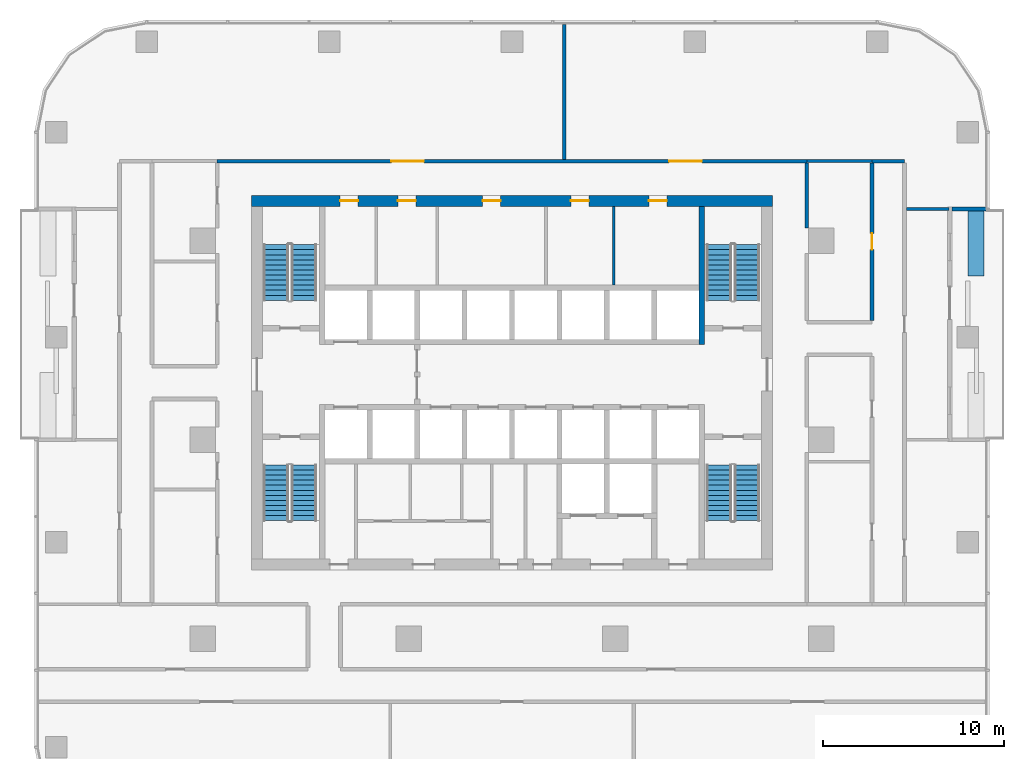
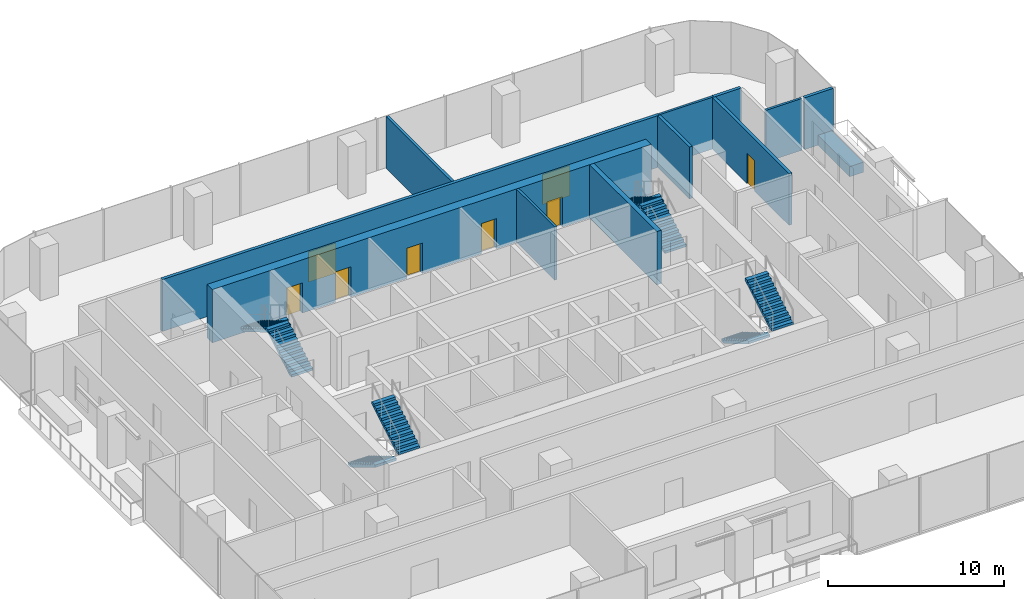
# One storey, part 10 of 14: 12 walls, 8 doors, 8 stair flights, 8 openings, 4 elements without a shape of their own.
"""IFC4 building model written with IfcOpenShell, lengths in metres."""

from ifc_helpers import new_model, si_unit, direction, frame, frame_2d, origin, place, context, subcontext, project, spatial, polyline, rectangle, outline, extrude, material, layer, layer_set, type_object, element, fill, aggregate, save


model = new_model("IFC4")

# Units and contexts
model_context = context("Model", 3, precision=1e-05, world=origin(), true_north=direction((0.0, 1.0)))
body_context = subcontext(model_context, "Body", "Model", "MODEL_VIEW")
ifc_project = project(units=[si_unit("LENGTHUNIT", "METRE"), si_unit("AREAUNIT", "SQUARE_METRE"), si_unit("VOLUMEUNIT", "CUBIC_METRE"), si_unit("PLANEANGLEUNIT", "RADIAN"), si_unit("MASSUNIT", "GRAM", prefix="KILO")], contexts=[model_context])

# Site, building, storey
site_placement = place(None, origin())
site = spatial("IfcSite", under=ifc_project, at=site_placement, CompositionType="ELEMENT")
building_placement = place(site_placement, origin())
building = spatial("IfcBuilding", under=site, at=building_placement, Name="Mopane Tessera Tower", CompositionType="ELEMENT")
storey_placement = place(building_placement, frame((0.0, 0.0, 165.0)))
storey = spatial("IfcBuildingStorey", under=building, at=storey_placement, Name="L33", CompositionType="ELEMENT", Elevation=165.0)

# Wall
ifc_material_1 = material(Name="Fire-rated gypsum board partition")
ifc_layer_1 = layer(ifc_material_1, 0.14990234375)
ifc_layer_set_1 = layer_set([ifc_layer_1], Name="Fire-rated gypsum board partition")
wall_type_1 = type_object("IfcWallType", Name="Core room partition 150 mm", PredefinedType="PARTITIONING", material=ifc_layer_set_1)
wall_1_placement = place(storey_placement, frame((5.625, 8.550048828125, 0.0), z_axis=(0.0, 0.0, 1.0), x_axis=(0.0, 1.0, 0.0)))
element("IfcWall", 1, at=wall_1_placement, inside=storey, type_object=wall_type_1, Name="L33 Room partition", PredefinedType="PARTITIONING", context=body_context, shape_type="SweptSolid", body=[
    extrude(rectangle(XDim=4.349853515625, YDim=0.14990234375, at=frame_2d((2.1748046875, 0.0))), origin(), (0.0, 0.0, 1.0), 3.699951171875),
])

# Wall, openings, doors
ifc_material_2 = material(Name="Concrete C70/85", Category="concrete")
ifc_layer_2 = layer(ifc_material_2, 0.60009765625)
ifc_layer_set_2 = layer_set([ifc_layer_2], Name="Concrete C70/85")
wall_type_2 = type_object("IfcWallType", Name="Core shear wall 600 mm", PredefinedType="SHEAR", material=ifc_layer_set_2)
wall_2_placement = place(storey_placement, frame((-14.39990234375, 13.199951171875, 0.0), z_axis=(0.0, 0.0, 1.0), x_axis=(1.0, 0.0, 0.0)))
wall_2 = element("IfcWall", 2, at=wall_2_placement, inside=storey, type_object=wall_type_2, Name="L33 Core wall north", PredefinedType="SHEAR", context=body_context, shape_type="SweptSolid", body=[
    extrude(rectangle(XDim=28.7998046875, YDim=0.60009765625, at=frame_2d((14.39990234375, 0.0))), origin(), (0.0, 0.0, 1.0), 3.699951171875),
])
opening_1_placement = place(wall_2_placement, frame((4.89990234375, 0.0, 0.0)))
opening_1 = element("IfcOpeningElement", 3, at=opening_1_placement, cuts=wall_2, Name="Opening RD1", PredefinedType="OPENING", context=body_context, shape_type="SweptSolid", body=[
    extrude(rectangle(XDim=1.0, YDim=2.10009765625, at=frame_2d((0.5, 1.050048828125))), frame((0.0, 0.31201171875, 0.0), z_axis=(0.0, -1.0, 0.0), x_axis=(1.0, 0.0, 0.0)), (0.0, 0.0, 1.0), 0.6240234375),
])
opening_2_placement = place(wall_2_placement, frame((8.08740234375, 0.0, 0.0)))
opening_2 = element("IfcOpeningElement", 4, at=opening_2_placement, cuts=wall_2, Name="Opening RD1", PredefinedType="OPENING", context=body_context, shape_type="SweptSolid", body=[
    extrude(rectangle(XDim=1.0, YDim=2.10009765625, at=frame_2d((0.5, 1.050048828125))), frame((0.0, 0.31201171875, 0.0), z_axis=(0.0, -1.0, 0.0), x_axis=(1.0, 0.0, 0.0)), (0.0, 0.0, 1.0), 0.6240234375),
])
opening_3_placement = place(wall_2_placement, frame((12.77490234375, 0.0, 0.0)))
opening_3 = element("IfcOpeningElement", 5, at=opening_3_placement, cuts=wall_2, Name="Opening RD1", PredefinedType="OPENING", context=body_context, shape_type="SweptSolid", body=[
    extrude(rectangle(XDim=1.0, YDim=2.10009765625, at=frame_2d((0.5, 1.050048828125))), frame((0.0, 0.31201171875, 0.0), z_axis=(0.0, -1.0, 0.0), x_axis=(1.0, 0.0, 0.0)), (0.0, 0.0, 1.0), 0.6240234375),
])
opening_4_placement = place(wall_2_placement, frame((17.64990234375, 0.0, 0.0)))
opening_4 = element("IfcOpeningElement", 6, at=opening_4_placement, cuts=wall_2, Name="Opening RD1", PredefinedType="OPENING", context=body_context, shape_type="SweptSolid", body=[
    extrude(rectangle(XDim=1.0, YDim=2.10009765625, at=frame_2d((0.5, 1.050048828125))), frame((0.0, 0.31201171875, 0.0), z_axis=(0.0, -1.0, 0.0), x_axis=(1.0, 0.0, 0.0)), (0.0, 0.0, 1.0), 0.6240234375),
])
opening_5_placement = place(wall_2_placement, frame((21.96240234375, 0.0, 0.0)))
opening_5 = element("IfcOpeningElement", 7, at=opening_5_placement, cuts=wall_2, Name="Opening RD1", PredefinedType="OPENING", context=body_context, shape_type="SweptSolid", body=[
    extrude(rectangle(XDim=1.0, YDim=2.10009765625, at=frame_2d((0.5, 1.050048828125))), frame((0.0, 0.31201171875, 0.0), z_axis=(0.0, -1.0, 0.0), x_axis=(1.0, 0.0, 0.0)), (0.0, 0.0, 1.0), 0.6240234375),
])
ifc_material_3 = material(Name="Timber door", Category="wood")
door_type_1 = type_object("IfcDoorType", Name="Core room door 1000 x 2100", OperationType="SINGLE_SWING_LEFT", PredefinedType="DOOR", material=ifc_material_3)
door_1_placement = place(opening_1_placement, origin())
door_1 = element("IfcDoor", 8, at=door_1_placement, inside=storey, type_object=door_type_1, Name="L33 Room door", OperationType="SINGLE_SWING_LEFT", OverallHeight=2.10009765625, OverallWidth=1.0, PredefinedType="DOOR", context=body_context, shape_type="SweptSolid", body=[
    extrude(rectangle(XDim=1.0, YDim=2.10009765625, at=frame_2d((0.5, 1.050048828125))), frame((0.0, 0.02490234375, 0.0), z_axis=(0.0, -1.0, 0.0), x_axis=(1.0, 0.0, 0.0)), (0.0, 0.0, 1.0), 0.050048828125),
])
fill(opening_1, door_1)
door_2_placement = place(opening_2_placement, origin())
door_2 = element("IfcDoor", 9, at=door_2_placement, inside=storey, type_object=door_type_1, Name="L33 Room door", OperationType="SINGLE_SWING_LEFT", OverallHeight=2.10009765625, OverallWidth=1.0, PredefinedType="DOOR", context=body_context, shape_type="SweptSolid", body=[
    extrude(rectangle(XDim=1.0, YDim=2.10009765625, at=frame_2d((0.5, 1.050048828125))), frame((0.0, 0.02490234375, 0.0), z_axis=(0.0, -1.0, 0.0), x_axis=(1.0, 0.0, 0.0)), (0.0, 0.0, 1.0), 0.050048828125),
])
fill(opening_2, door_2)
door_3_placement = place(opening_3_placement, origin())
door_3 = element("IfcDoor", 10, at=door_3_placement, inside=storey, type_object=door_type_1, Name="L33 Room door", OperationType="SINGLE_SWING_LEFT", OverallHeight=2.10009765625, OverallWidth=1.0, PredefinedType="DOOR", context=body_context, shape_type="SweptSolid", body=[
    extrude(rectangle(XDim=1.0, YDim=2.10009765625, at=frame_2d((0.5, 1.050048828125))), frame((0.0, 0.02490234375, 0.0), z_axis=(0.0, -1.0, 0.0), x_axis=(1.0, 0.0, 0.0)), (0.0, 0.0, 1.0), 0.050048828125),
])
fill(opening_3, door_3)
door_4_placement = place(opening_4_placement, origin())
door_4 = element("IfcDoor", 11, at=door_4_placement, inside=storey, type_object=door_type_1, Name="L33 Room door", OperationType="SINGLE_SWING_LEFT", OverallHeight=2.10009765625, OverallWidth=1.0, PredefinedType="DOOR", context=body_context, shape_type="SweptSolid", body=[
    extrude(rectangle(XDim=1.0, YDim=2.10009765625, at=frame_2d((0.5, 1.050048828125))), frame((0.0, 0.02490234375, 0.0), z_axis=(0.0, -1.0, 0.0), x_axis=(1.0, 0.0, 0.0)), (0.0, 0.0, 1.0), 0.050048828125),
])
fill(opening_4, door_4)
door_5_placement = place(opening_5_placement, origin())
door_5 = element("IfcDoor", 12, at=door_5_placement, inside=storey, type_object=door_type_1, Name="L33 Room door", OperationType="SINGLE_SWING_LEFT", OverallHeight=2.10009765625, OverallWidth=1.0, PredefinedType="DOOR", context=body_context, shape_type="SweptSolid", body=[
    extrude(rectangle(XDim=1.0, YDim=2.10009765625, at=frame_2d((0.5, 1.050048828125))), frame((0.0, 0.02490234375, 0.0), z_axis=(0.0, -1.0, 0.0), x_axis=(1.0, 0.0, 0.0)), (0.0, 0.0, 1.0), 0.050048828125),
])
fill(opening_5, door_5)

# Walls
ifc_material_4 = material(Name="Concrete C60/75", Category="concrete")
ifc_layer_3 = layer(ifc_material_4, 0.300048828125)
ifc_layer_set_3 = layer_set([ifc_layer_3], Name="Concrete C60/75")
wall_type_3 = type_object("IfcWallType", Name="Core spine wall 300 mm", PredefinedType="SHEAR", material=ifc_layer_set_3)
wall_3_placement = place(storey_placement, frame((10.5, 5.25, 0.0), z_axis=(0.0, 0.0, 1.0), x_axis=(0.0, 1.0, 0.0)))
element("IfcWall", 13, at=wall_3_placement, inside=storey, type_object=wall_type_3, Name="L33 Core spine wall", PredefinedType="SHEAR", context=body_context, shape_type="SweptSolid", body=[
    extrude(rectangle(XDim=7.64990234375, YDim=0.300048828125, at=frame_2d((3.824951171875, 0.0))), origin(), (0.0, 0.0, 1.0), 3.699951171875),
])
ifc_material_5 = material(Name="Gypsum board on staggered steel studs, double layer each face, acoustic mineral wool infill", Category="steel")
ifc_layer_4 = layer(ifc_material_5, 0.175048828125)
ifc_layer_set_4 = layer_set([ifc_layer_4], Name="Gypsum board on staggered steel studs, double layer each face, acoustic mineral wool infill")
wall_type_4 = type_object("IfcWallType", Name="Gypsum board acoustic partition 175, rated EI 60", PredefinedType="PARTITIONING", material=ifc_layer_set_4)
wall_4_placement = place(storey_placement, frame((2.885009765625, 15.5, 0.0), z_axis=(0.0, 0.0, 1.0), x_axis=(0.0, 1.0, 0.0)))
element("IfcWall", 14, at=wall_4_placement, inside=storey, type_object=wall_type_4, Name="Partition L33:037", PredefinedType="PARTITIONING", context=body_context, shape_type="SweptSolid", body=[
    extrude(rectangle(XDim=7.449951171875, YDim=0.175048828125, at=frame_2d((3.72509765625, 0.0))), origin(), (0.0, 0.0, 1.0), 3.60009765625),
])

# Wall, openings, doors
ifc_material_6 = material(Name="Gypsum board on steel studs, two layers each face, mineral wool infill", Category="steel")
ifc_layer_5 = layer(ifc_material_6, 0.199951171875)
ifc_layer_set_5 = layer_set([ifc_layer_5], Name="Gypsum board on steel studs, two layers each face, mineral wool infill")
wall_type_5 = type_object("IfcWallType", Name="Gypsum board corridor wall 200, rated EI 60", PredefinedType="PARTITIONING", material=ifc_layer_set_5)
wall_5_placement = place(storey_placement, frame((-16.300048828125, 15.39990234375, 0.0), z_axis=(0.0, 0.0, 1.0), x_axis=(1.0, 0.0, 0.0)))
wall_5 = element("IfcWall", 15, at=wall_5_placement, inside=storey, type_object=wall_type_5, Name="Partition L33:025", PredefinedType="PARTITIONING", context=body_context, shape_type="SweptSolid", body=[
    extrude(rectangle(XDim=32.60009765625, YDim=0.199951171875, at=frame_2d((16.300048828125, 0.0))), origin(), (0.0, 0.0, 1.0), 3.60009765625),
])
opening_6_placement = place(wall_5_placement, frame((24.992431640625, 0.0, 0.0)))
opening_6 = element("IfcOpeningElement", 16, at=opening_6_placement, cuts=wall_5, Name="Opening L33-06", PredefinedType="OPENING", context=body_context, shape_type="SweptSolid", body=[
    extrude(rectangle(XDim=1.800048828125, YDim=2.10009765625, at=frame_2d((0.89990234375, 1.050048828125))), frame((0.0, 0.112060546875, 0.0), z_axis=(0.0, -1.0, 0.0), x_axis=(1.0, 0.0, 0.0)), (0.0, 0.0, 1.0), 0.223876953125),
])
opening_7_placement = place(wall_5_placement, frame((9.635009765625, 0.0, 0.0)))
opening_7 = element("IfcOpeningElement", 17, at=opening_7_placement, cuts=wall_5, Name="Opening L33-17", PredefinedType="OPENING", context=body_context, shape_type="SweptSolid", body=[
    extrude(rectangle(XDim=1.800048828125, YDim=2.10009765625, at=frame_2d((0.89990234375, 1.050048828125))), frame((0.0, 0.112060546875, 0.0), z_axis=(0.0, -1.0, 0.0), x_axis=(1.0, 0.0, 0.0)), (0.0, 0.0, 1.0), 0.223876953125),
])
ifc_material_7 = material(Name="Timber veneered steel-framed fire door", Category="steel")
door_type_2 = type_object("IfcDoorType", Name="Fire door pair FD60 1800 x 2100", OperationType="DOUBLE_DOOR_SINGLE_SWING", PredefinedType="DOOR", material=ifc_material_7)
door_6_placement = place(opening_6_placement, origin())
door_6 = element("IfcDoor", 18, at=door_6_placement, inside=storey, type_object=door_type_2, Name="Door L33-06", ObjectType="D20A", OperationType="DOUBLE_DOOR_SINGLE_SWING", OverallHeight=2.10009765625, OverallWidth=1.800048828125, PredefinedType="DOOR", context=body_context, shape_type="SweptSolid", body=[
    extrude(rectangle(XDim=1.800048828125, YDim=2.10009765625, at=frame_2d((0.89990234375, 1.050048828125))), frame((0.0, 0.02490234375, 0.0), z_axis=(0.0, -1.0, 0.0), x_axis=(1.0, 0.0, 0.0)), (0.0, 0.0, 1.0), 0.050048828125),
])
fill(opening_6, door_6)
door_7_placement = place(opening_7_placement, origin())
door_7 = element("IfcDoor", 19, at=door_7_placement, inside=storey, type_object=door_type_2, Name="Door L33-17", ObjectType="D20A", OperationType="DOUBLE_DOOR_SINGLE_SWING", OverallHeight=2.10009765625, OverallWidth=1.800048828125, PredefinedType="DOOR", context=body_context, shape_type="SweptSolid", body=[
    extrude(rectangle(XDim=1.800048828125, YDim=2.10009765625, at=frame_2d((0.89990234375, 1.050048828125))), frame((0.0, 0.02490234375, 0.0), z_axis=(0.0, -1.0, 0.0), x_axis=(1.0, 0.0, 0.0)), (0.0, 0.0, 1.0), 0.050048828125),
])
fill(opening_7, door_7)

# Walls
wall_6_placement = place(storey_placement, frame((19.89990234375, 15.39990234375, 0.0), z_axis=(0.0, 0.0, 1.0), x_axis=(1.0, 0.0, 0.0)))
element("IfcWall", 20, at=wall_6_placement, inside=storey, type_object=wall_type_5, Name="Partition L33:026", PredefinedType="PARTITIONING", context=body_context, shape_type="SweptSolid", body=[
    extrude(rectangle(XDim=1.800048828125, YDim=0.199951171875, at=frame_2d((0.89990234375, 0.0))), origin(), (0.0, 0.0, 1.0), 3.60009765625),
])
wall_7_placement = place(storey_placement, frame((16.300048828125, 11.699951171875, 0.0), z_axis=(0.0, 0.0, 1.0), x_axis=(0.0, 1.0, 0.0)))
element("IfcWall", 21, at=wall_7_placement, inside=storey, type_object=wall_type_5, Name="Partition L33:042", PredefinedType="PARTITIONING", context=body_context, shape_type="SweptSolid", body=[
    extrude(rectangle(XDim=3.60009765625, YDim=0.199951171875, at=frame_2d((1.800048828125, 0.0))), origin(), (0.0, 0.0, 1.0), 3.60009765625),
])

# Wall, opening, door
wall_8_placement = place(storey_placement, frame((19.89990234375, 6.60009765625, 0.0), z_axis=(0.0, 0.0, 1.0), x_axis=(0.0, 1.0, 0.0)))
wall_8 = element("IfcWall", 22, at=wall_8_placement, inside=storey, type_object=wall_type_5, Name="Partition L33:044", PredefinedType="PARTITIONING", context=body_context, shape_type="SweptSolid", body=[
    extrude(rectangle(XDim=8.699951171875, YDim=0.199951171875, at=frame_2d((4.35009765625, 0.0))), origin(), (0.0, 0.0, 1.0), 3.60009765625),
])
opening_8_placement = place(wall_8_placement, frame((3.89990234375, 0.0, 0.0)))
opening_8 = element("IfcOpeningElement", 23, at=opening_8_placement, cuts=wall_8, Name="Opening L33-12", PredefinedType="OPENING", context=body_context, shape_type="SweptSolid", body=[
    extrude(rectangle(XDim=0.89990234375, YDim=2.10009765625, at=frame_2d((0.449951171875, 1.050048828125))), frame((0.0, 0.112060546875, 0.0), z_axis=(0.0, -1.0, 0.0), x_axis=(1.0, 0.0, 0.0)), (0.0, 0.0, 1.0), 0.223876953125),
])
ifc_material_8 = material(Name="Timber veneered steel-framed fire door", Category="steel")
door_type_3 = type_object("IfcDoorType", Name="Fire door FD60 900 x 2100", OperationType="SINGLE_SWING_LEFT", PredefinedType="DOOR", material=ifc_material_8)
door_8_placement = place(opening_8_placement, origin())
door_8 = element("IfcDoor", 24, at=door_8_placement, inside=storey, type_object=door_type_3, Name="Door L33-12", ObjectType="D10A", OperationType="SINGLE_SWING_LEFT", OverallHeight=2.10009765625, OverallWidth=0.89990234375, PredefinedType="DOOR", context=body_context, shape_type="SweptSolid", body=[
    extrude(rectangle(XDim=0.89990234375, YDim=2.10009765625, at=frame_2d((0.449951171875, 1.050048828125))), frame((0.0, 0.02490234375, 0.0), z_axis=(0.0, -1.0, 0.0), x_axis=(1.0, 0.0, 0.0)), (0.0, 0.0, 1.0), 0.050048828125),
])
fill(opening_8, door_8)

# Walls
ifc_material_9 = material(Name="Gypsum board on steel studs, mineral wool infill", Category="steel")
ifc_layer_6 = layer(ifc_material_9, 0.14990234375)
ifc_layer_set_6 = layer_set([ifc_layer_6], Name="Gypsum board on steel studs, mineral wool infill")
wall_type_6 = type_object("IfcWallType", Name="Gypsum board partition 150, rated EI 60", PredefinedType="PARTITIONING", material=ifc_layer_set_6)
wall_9_placement = place(storey_placement, frame((21.800048828125, 12.75, 0.0), z_axis=(0.0, 0.0, 1.0), x_axis=(1.0, 0.0, 0.0)))
element("IfcWall", 25, at=wall_9_placement, inside=storey, type_object=wall_type_6, Name="Partition L33:020", PredefinedType="PARTITIONING", context=body_context, shape_type="SweptSolid", body=[
    extrude(rectangle(XDim=2.349853515625, YDim=0.14990234375, at=frame_2d((1.1748046875, 0.0))), origin(), (0.0, 0.0, 1.0), 3.60009765625),
])
wall_10_placement = place(storey_placement, frame((16.300048828125, 15.39990234375, 0.0), z_axis=(0.0, 0.0, 1.0), x_axis=(1.0, 0.0, 0.0)))
element("IfcWall", 26, at=wall_10_placement, inside=storey, type_object=wall_type_6, Name="Partition L33:022", PredefinedType="PARTITIONING", context=body_context, shape_type="SweptSolid", body=[
    extrude(rectangle(XDim=3.599853515625, YDim=0.14990234375, at=frame_2d((1.7998046875, 0.0))), origin(), (0.0, 0.0, 1.0), 3.60009765625),
])
ifc_material_10 = material(Name="Reinforced concrete C32/40 with waterproofing", Category="concrete")
ifc_layer_7 = layer(ifc_material_10, 0.89990234375)
ifc_layer_set_7 = layer_set([ifc_layer_7], Name="Reinforced concrete C32/40 with waterproofing")
wall_type_7 = type_object("IfcWallType", Name="Planter trough 3600 x 900", PredefinedType="STANDARD", material=ifc_layer_set_7)
wall_11_placement = place(storey_placement, frame((25.64990234375, 9.050048828125, 0.0), z_axis=(0.0, 0.0, 1.0), x_axis=(0.0, 1.0, 0.0)))
element("IfcWall", 27, at=wall_11_placement, inside=storey, type_object=wall_type_7, Name="e:nw:L33:N3:pl1", PredefinedType="STANDARD", context=body_context, shape_type="SweptSolid", body=[
    extrude(rectangle(XDim=3.599853515625, YDim=0.89990234375, at=frame_2d((1.7998046875, 0.0))), origin(), (0.0, 0.0, 1.0), 0.699951171875),
])
ifc_material_11 = material(Name="Blockwork with glazed tile facing", Category="masonry")
ifc_layer_8 = layer(ifc_material_11, 0.199951171875)
ifc_layer_set_8 = layer_set([ifc_layer_8], Name="Blockwork with glazed tile facing")
wall_type_8 = type_object("IfcWallType", Name="Terrace cheek wall 200", PredefinedType="STANDARD", material=ifc_layer_set_8)
wall_12_placement = place(storey_placement, frame((26.199951171875, 12.75, 0.0), z_axis=(0.0, 0.0, 1.0), x_axis=(-1.0, 0.0, 0.0)))
element("IfcWall", 28, at=wall_12_placement, inside=storey, type_object=wall_type_8, Name="e:nw:L33:N3:cheekb", PredefinedType="STANDARD", context=body_context, shape_type="SweptSolid", body=[
    extrude(rectangle(XDim=1.875, YDim=0.199951171875, at=frame_2d((0.9375, 0.0))), origin(), (0.0, 0.0, 1.0), 3.60009765625),
])

# Stair, stair flights
ifc_material_12 = material(Name="Concrete C50/60", Category="concrete")
stair_type = type_object("IfcStairType", Name="Escape stair 1400 mm, riser 167 mm", PredefinedType="HALF_TURN_STAIR", material=ifc_material_12)
stair_1_placement = place(storey_placement, origin())
stair_1 = element("IfcStair", 29, at=stair_1_placement, inside=storey, type_object=stair_type, Name="L33 Escape stair south-west", PredefinedType="HALF_TURN_STAIR")
ifc_material_13 = material(Name="Concrete C50/60", Category="concrete")
stair_flight_type = type_object("IfcStairFlightType", Name="Escape stair flight 1400 mm", PredefinedType="STRAIGHT", material=ifc_material_13)
stair_flight_1_placement = place(storey_placement, frame((-13.050048828125, -1.39990234375, 0.0), z_axis=(0.0, 0.0, 1.0), x_axis=(0.0, -1.0, 0.0)))
stair_flight_1 = element("IfcStairFlight", 30, at=stair_flight_1_placement, type_object=stair_flight_type, Name="ST1 flight 1", NumberOfRisers=12, NumberOfTreads=11, PredefinedType="STRAIGHT", RiserHeight=0.166666667, TreadLength=0.28, context=body_context, shape_type="SweptSolid", body=[
    extrude(outline(polyline([(0.0, 0.0), (0.0, 0.166748046875), (0.280029296875, 0.166748046875), (0.280029296875, 0.333251953125), (0.56005859375, 0.333251953125), (0.56005859375, 0.5), (0.840087890625, 0.5), (0.840087890625, 0.666748046875), (1.1201171875, 0.666748046875), (1.1201171875, 0.833251953125), (1.39990234375, 0.833251953125), (1.39990234375, 1.0), (1.679931640625, 1.0), (1.679931640625, 1.166748046875), (1.9599609375, 1.166748046875), (1.9599609375, 1.333251953125), (2.239990234375, 1.333251953125), (2.239990234375, 1.5), (2.52001953125, 1.5), (2.52001953125, 1.666748046875), (2.800048828125, 1.666748046875), (2.800048828125, 1.833251953125), (3.080078125, 1.833251953125), (3.080078125, 2.0), (3.080078125, 1.658935546875), (0.29296875, 0.0), (0.0, 0.0)])), frame((0.0, 0.699951171875, 0.0), z_axis=(0.0, -1.0, 0.0), x_axis=(1.0, 0.0, 0.0)), (0.0, 0.0, 1.0), 1.39990234375),
])
stair_flight_2_placement = place(storey_placement, frame((-11.5, -4.47998046875, 2.0), z_axis=(0.0, 0.0, 1.0), x_axis=(0.0, 1.0, 0.0)))
stair_flight_2 = element("IfcStairFlight", 31, at=stair_flight_2_placement, type_object=stair_flight_type, Name="ST1 flight 2", NumberOfRisers=12, NumberOfTreads=11, PredefinedType="STRAIGHT", RiserHeight=0.166666667, TreadLength=0.28, context=body_context, shape_type="SweptSolid", body=[
    extrude(outline(polyline([(0.0, 0.0), (0.0, 0.166748046875), (0.280029296875, 0.166748046875), (0.280029296875, 0.333251953125), (0.56005859375, 0.333251953125), (0.56005859375, 0.5), (0.840087890625, 0.5), (0.840087890625, 0.666748046875), (1.1201171875, 0.666748046875), (1.1201171875, 0.833251953125), (1.39990234375, 0.833251953125), (1.39990234375, 1.0), (1.679931640625, 1.0), (1.679931640625, 1.166748046875), (1.9599609375, 1.166748046875), (1.9599609375, 1.333251953125), (2.239990234375, 1.333251953125), (2.239990234375, 1.5), (2.52001953125, 1.5), (2.52001953125, 1.666748046875), (2.800048828125, 1.666748046875), (2.800048828125, 1.833251953125), (3.080078125, 1.833251953125), (3.080078125, 2.0), (3.080078125, 1.658935546875), (0.29296875, 0.0), (0.0, 0.0)])), frame((0.0, 0.699951171875, 0.0), z_axis=(0.0, -1.0, 0.0), x_axis=(1.0, 0.0, 0.0)), (0.0, 0.0, 1.0), 1.39990234375),
])
aggregate(stair_1, [stair_flight_1, stair_flight_2])

stair_2_placement = place(storey_placement, origin())
stair_2 = element("IfcStair", 32, at=stair_2_placement, inside=storey, type_object=stair_type, Name="L33 Escape stair north-west", PredefinedType="HALF_TURN_STAIR")
stair_flight_3_placement = place(storey_placement, frame((-11.5, 7.699951171875, 0.0), z_axis=(0.0, 0.0, 1.0), x_axis=(0.0, 1.0, 0.0)))
stair_flight_3 = element("IfcStairFlight", 33, at=stair_flight_3_placement, type_object=stair_flight_type, Name="ST2 flight 1", NumberOfRisers=12, NumberOfTreads=11, PredefinedType="STRAIGHT", RiserHeight=0.166666667, TreadLength=0.28, context=body_context, shape_type="SweptSolid", body=[
    extrude(outline(polyline([(0.0, 0.0), (0.0, 0.166748046875), (0.280029296875, 0.166748046875), (0.280029296875, 0.333251953125), (0.56005859375, 0.333251953125), (0.56005859375, 0.5), (0.840087890625, 0.5), (0.840087890625, 0.666748046875), (1.1201171875, 0.666748046875), (1.1201171875, 0.833251953125), (1.39990234375, 0.833251953125), (1.39990234375, 1.0), (1.679931640625, 1.0), (1.679931640625, 1.166748046875), (1.9599609375, 1.166748046875), (1.9599609375, 1.333251953125), (2.239990234375, 1.333251953125), (2.239990234375, 1.5), (2.52001953125, 1.5), (2.52001953125, 1.666748046875), (2.800048828125, 1.666748046875), (2.800048828125, 1.833251953125), (3.080078125, 1.833251953125), (3.080078125, 2.0), (3.080078125, 1.658935546875), (0.29296875, 0.0), (0.0, 0.0)])), frame((0.0, 0.699951171875, 0.0), z_axis=(0.0, -1.0, 0.0), x_axis=(1.0, 0.0, 0.0)), (0.0, 0.0, 1.0), 1.39990234375),
])
stair_flight_4_placement = place(storey_placement, frame((-13.050048828125, 10.780029296875, 2.0), z_axis=(0.0, 0.0, 1.0), x_axis=(0.0, -1.0, 0.0)))
stair_flight_4 = element("IfcStairFlight", 34, at=stair_flight_4_placement, type_object=stair_flight_type, Name="ST2 flight 2", NumberOfRisers=12, NumberOfTreads=11, PredefinedType="STRAIGHT", RiserHeight=0.166666667, TreadLength=0.28, context=body_context, shape_type="SweptSolid", body=[
    extrude(outline(polyline([(0.0, 0.0), (0.0, 0.166748046875), (0.280029296875, 0.166748046875), (0.280029296875, 0.333251953125), (0.56005859375, 0.333251953125), (0.56005859375, 0.5), (0.840087890625, 0.5), (0.840087890625, 0.666748046875), (1.1201171875, 0.666748046875), (1.1201171875, 0.833251953125), (1.39990234375, 0.833251953125), (1.39990234375, 1.0), (1.679931640625, 1.0), (1.679931640625, 1.166748046875), (1.9599609375, 1.166748046875), (1.9599609375, 1.333251953125), (2.239990234375, 1.333251953125), (2.239990234375, 1.5), (2.52001953125, 1.5), (2.52001953125, 1.666748046875), (2.800048828125, 1.666748046875), (2.800048828125, 1.833251953125), (3.080078125, 1.833251953125), (3.080078125, 2.0), (3.080078125, 1.658935546875), (0.29296875, 0.0), (0.0, 0.0)])), frame((0.0, 0.699951171875, 0.0), z_axis=(0.0, -1.0, 0.0), x_axis=(1.0, 0.0, 0.0)), (0.0, 0.0, 1.0), 1.39990234375),
])
aggregate(stair_2, [stair_flight_3, stair_flight_4])

stair_3_placement = place(storey_placement, origin())
stair_3 = element("IfcStair", 35, at=stair_3_placement, inside=storey, type_object=stair_type, Name="L33 Escape stair south-east", PredefinedType="HALF_TURN_STAIR")
stair_flight_5_placement = place(storey_placement, frame((11.449951171875, -1.39990234375, 0.0), z_axis=(0.0, 0.0, 1.0), x_axis=(0.0, -1.0, 0.0)))
stair_flight_5 = element("IfcStairFlight", 36, at=stair_flight_5_placement, type_object=stair_flight_type, Name="ST3 flight 1", NumberOfRisers=12, NumberOfTreads=11, PredefinedType="STRAIGHT", RiserHeight=0.166666667, TreadLength=0.28, context=body_context, shape_type="SweptSolid", body=[
    extrude(outline(polyline([(0.0, 0.0), (0.0, 0.166748046875), (0.280029296875, 0.166748046875), (0.280029296875, 0.333251953125), (0.56005859375, 0.333251953125), (0.56005859375, 0.5), (0.840087890625, 0.5), (0.840087890625, 0.666748046875), (1.1201171875, 0.666748046875), (1.1201171875, 0.833251953125), (1.39990234375, 0.833251953125), (1.39990234375, 1.0), (1.679931640625, 1.0), (1.679931640625, 1.166748046875), (1.9599609375, 1.166748046875), (1.9599609375, 1.333251953125), (2.239990234375, 1.333251953125), (2.239990234375, 1.5), (2.52001953125, 1.5), (2.52001953125, 1.666748046875), (2.800048828125, 1.666748046875), (2.800048828125, 1.833251953125), (3.080078125, 1.833251953125), (3.080078125, 2.0), (3.080078125, 1.658935546875), (0.29296875, 0.0), (0.0, 0.0)])), frame((0.0, 0.699951171875, 0.0), z_axis=(0.0, -1.0, 0.0), x_axis=(1.0, 0.0, 0.0)), (0.0, 0.0, 1.0), 1.39990234375),
])
stair_flight_6_placement = place(storey_placement, frame((13.0, -4.47998046875, 2.0), z_axis=(0.0, 0.0, 1.0), x_axis=(0.0, 1.0, 0.0)))
stair_flight_6 = element("IfcStairFlight", 37, at=stair_flight_6_placement, type_object=stair_flight_type, Name="ST3 flight 2", NumberOfRisers=12, NumberOfTreads=11, PredefinedType="STRAIGHT", RiserHeight=0.166666667, TreadLength=0.28, context=body_context, shape_type="SweptSolid", body=[
    extrude(outline(polyline([(0.0, 0.0), (0.0, 0.166748046875), (0.280029296875, 0.166748046875), (0.280029296875, 0.333251953125), (0.56005859375, 0.333251953125), (0.56005859375, 0.5), (0.840087890625, 0.5), (0.840087890625, 0.666748046875), (1.1201171875, 0.666748046875), (1.1201171875, 0.833251953125), (1.39990234375, 0.833251953125), (1.39990234375, 1.0), (1.679931640625, 1.0), (1.679931640625, 1.166748046875), (1.9599609375, 1.166748046875), (1.9599609375, 1.333251953125), (2.239990234375, 1.333251953125), (2.239990234375, 1.5), (2.52001953125, 1.5), (2.52001953125, 1.666748046875), (2.800048828125, 1.666748046875), (2.800048828125, 1.833251953125), (3.080078125, 1.833251953125), (3.080078125, 2.0), (3.080078125, 1.658935546875), (0.29296875, 0.0), (0.0, 0.0)])), frame((0.0, 0.699951171875, 0.0), z_axis=(0.0, -1.0, 0.0), x_axis=(1.0, 0.0, 0.0)), (0.0, 0.0, 1.0), 1.39990234375),
])
aggregate(stair_3, [stair_flight_5, stair_flight_6])

stair_4_placement = place(storey_placement, origin())
stair_4 = element("IfcStair", 38, at=stair_4_placement, inside=storey, type_object=stair_type, Name="L33 Escape stair north-east", PredefinedType="HALF_TURN_STAIR")
stair_flight_7_placement = place(storey_placement, frame((13.0, 7.699951171875, 0.0), z_axis=(0.0, 0.0, 1.0), x_axis=(0.0, 1.0, 0.0)))
stair_flight_7 = element("IfcStairFlight", 39, at=stair_flight_7_placement, type_object=stair_flight_type, Name="ST4 flight 1", NumberOfRisers=12, NumberOfTreads=11, PredefinedType="STRAIGHT", RiserHeight=0.166666667, TreadLength=0.28, context=body_context, shape_type="SweptSolid", body=[
    extrude(outline(polyline([(0.0, 0.0), (0.0, 0.166748046875), (0.280029296875, 0.166748046875), (0.280029296875, 0.333251953125), (0.56005859375, 0.333251953125), (0.56005859375, 0.5), (0.840087890625, 0.5), (0.840087890625, 0.666748046875), (1.1201171875, 0.666748046875), (1.1201171875, 0.833251953125), (1.39990234375, 0.833251953125), (1.39990234375, 1.0), (1.679931640625, 1.0), (1.679931640625, 1.166748046875), (1.9599609375, 1.166748046875), (1.9599609375, 1.333251953125), (2.239990234375, 1.333251953125), (2.239990234375, 1.5), (2.52001953125, 1.5), (2.52001953125, 1.666748046875), (2.800048828125, 1.666748046875), (2.800048828125, 1.833251953125), (3.080078125, 1.833251953125), (3.080078125, 2.0), (3.080078125, 1.658935546875), (0.29296875, 0.0), (0.0, 0.0)])), frame((0.0, 0.699951171875, 0.0), z_axis=(0.0, -1.0, 0.0), x_axis=(1.0, 0.0, 0.0)), (0.0, 0.0, 1.0), 1.39990234375),
])
stair_flight_8_placement = place(storey_placement, frame((11.449951171875, 10.780029296875, 2.0), z_axis=(0.0, 0.0, 1.0), x_axis=(0.0, -1.0, 0.0)))
stair_flight_8 = element("IfcStairFlight", 40, at=stair_flight_8_placement, type_object=stair_flight_type, Name="ST4 flight 2", NumberOfRisers=12, NumberOfTreads=11, PredefinedType="STRAIGHT", RiserHeight=0.166666667, TreadLength=0.28, context=body_context, shape_type="SweptSolid", body=[
    extrude(outline(polyline([(0.0, 0.0), (0.0, 0.166748046875), (0.280029296875, 0.166748046875), (0.280029296875, 0.333251953125), (0.56005859375, 0.333251953125), (0.56005859375, 0.5), (0.840087890625, 0.5), (0.840087890625, 0.666748046875), (1.1201171875, 0.666748046875), (1.1201171875, 0.833251953125), (1.39990234375, 0.833251953125), (1.39990234375, 1.0), (1.679931640625, 1.0), (1.679931640625, 1.166748046875), (1.9599609375, 1.166748046875), (1.9599609375, 1.333251953125), (2.239990234375, 1.333251953125), (2.239990234375, 1.5), (2.52001953125, 1.5), (2.52001953125, 1.666748046875), (2.800048828125, 1.666748046875), (2.800048828125, 1.833251953125), (3.080078125, 1.833251953125), (3.080078125, 2.0), (3.080078125, 1.658935546875), (0.29296875, 0.0), (0.0, 0.0)])), frame((0.0, 0.699951171875, 0.0), z_axis=(0.0, -1.0, 0.0), x_axis=(1.0, 0.0, 0.0)), (0.0, 0.0, 1.0), 1.39990234375),
])
aggregate(stair_4, [stair_flight_7, stair_flight_8])

save(model, "model.ifc")
